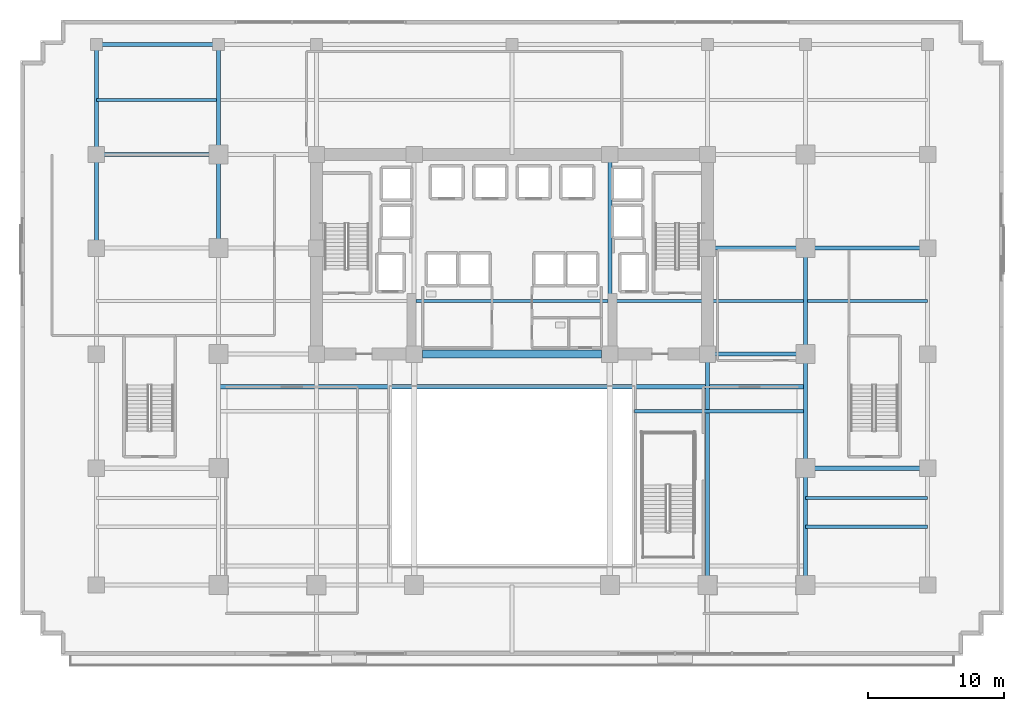
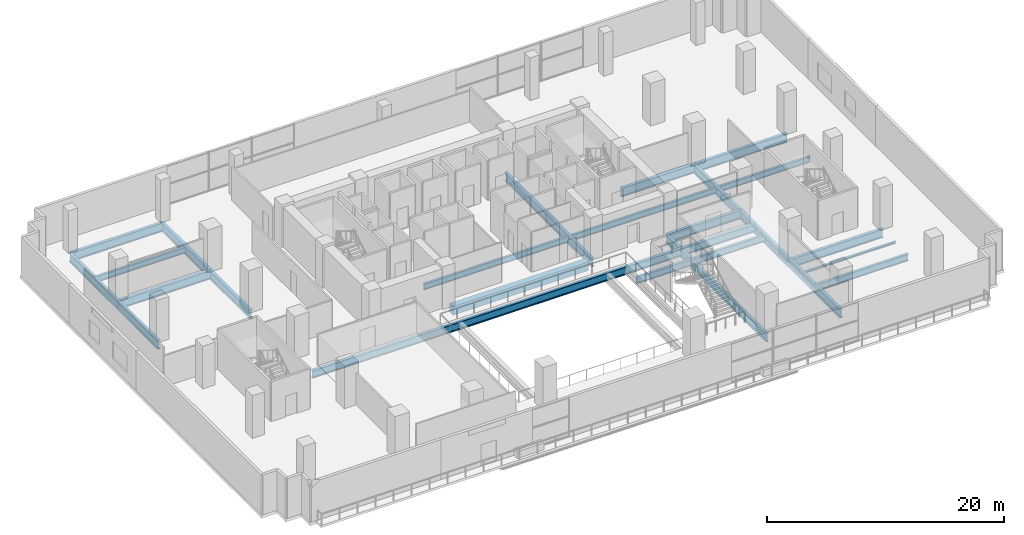
# One storey, part 6 of 23: 24 beams.
"""IFC4 building model written with IfcOpenShell, lengths in metres."""

from ifc_helpers import new_model, si_unit, direction, frame, origin, origin_2d, place, context, subcontext, project, spatial, rectangle, i_section, extrude, material, material_profile, profile_set, type_object, element, save


model = new_model("IFC4")

# Units and contexts
model_context = context("Model", 3, precision=1e-05, world=origin(), true_north=direction((0.0, 1.0)))
body_context = subcontext(model_context, "Body", "Model", "MODEL_VIEW")
ifc_project = project(units=[si_unit("LENGTHUNIT", "METRE"), si_unit("AREAUNIT", "SQUARE_METRE"), si_unit("VOLUMEUNIT", "CUBIC_METRE"), si_unit("PLANEANGLEUNIT", "RADIAN"), si_unit("MASSUNIT", "GRAM", prefix="KILO")], contexts=[model_context])

# Site, building, storey
site_placement = place(None, origin())
site = spatial("IfcSite", under=ifc_project, at=site_placement, CompositionType="ELEMENT")
building_placement = place(site_placement, origin())
building = spatial("IfcBuilding", under=site, at=building_placement, Name="Zarnakvel Exchange Tower", CompositionType="ELEMENT")
storey_placement = place(building_placement, frame((0.0, 0.0, 13.800048828125)))
storey = spatial("IfcBuildingStorey", under=building, at=storey_placement, Name="L03", CompositionType="ELEMENT", Elevation=13.800048828125)

# Beams
ifc_material_1 = material(Name="Steel S355", Category="steel")
ifc_material_profile_1 = material_profile(ifc_material_1, i_section(OverallWidth=0.255859375, OverallDepth=0.69287109375, WebThickness=0.014404296875, FlangeThickness=0.023681640625, FilletRadius=0.01513671875, at=origin_2d()))
ifc_profile_set_1 = profile_set([ifc_material_profile_1], Name="Steel S355")
beam_type_1 = type_object("IfcBeamType", Name="B-01", PredefinedType="JOIST", material=ifc_profile_set_1)
beam_1_placement = place(storey_placement, frame((21.60009765625, -13.89990234375, -0.646484375), z_axis=(1.0, 0.0, 0.0), x_axis=(0.0, 1.0, 0.0)))
element("IfcBeam", 1, at=beam_1_placement, inside=storey, type_object=beam_type_1, Name="L03 Podium Wing Secondary Joist East", PredefinedType="JOIST", context=body_context, shape_type="SweptSolid", body=[
    extrude(i_section(OverallWidth=0.255859375, OverallDepth=0.69287109375, WebThickness=0.014404296875, FlangeThickness=0.023681640625, FilletRadius=0.01513671875, at=origin_2d()), origin(), (0.0, 0.0, 1.0), 9.0),
])
beam_2_placement = place(storey_placement, frame((9.0, -5.39990234375, -0.646484375), z_axis=(1.0, 0.0, 0.0), x_axis=(0.0, 1.0, 0.0)))
element("IfcBeam", 2, at=beam_2_placement, inside=storey, type_object=beam_type_1, Name="L03 Exchange Hall Atrium Trimmer East", PredefinedType="JOIST", context=body_context, shape_type="SweptSolid", body=[
    extrude(i_section(OverallWidth=0.255859375, OverallDepth=0.69287109375, WebThickness=0.014404296875, FlangeThickness=0.023681640625, FilletRadius=0.01513671875, at=origin_2d()), origin(), (0.0, 0.0, 1.0), 12.60009765625),
])
ifc_material_profile_2 = material_profile(ifc_material_1, i_section(OverallWidth=0.230224609375, OverallDepth=0.6171875, WebThickness=0.01318359375, FlangeThickness=0.022216796875, FilletRadius=0.0126953125, at=origin_2d()))
ifc_profile_set_2 = profile_set([ifc_material_profile_2], Name="Steel S355")
beam_type_2 = type_object("IfcBeamType", Name="B-02", PredefinedType="JOIST", material=ifc_profile_set_2)
beam_3_placement = place(storey_placement, frame((-7.050048828125, 2.699951171875, -0.608642578125), z_axis=(1.0, 0.0, 0.0), x_axis=(0.0, 1.0, 0.0)))
element("IfcBeam", 3, at=beam_3_placement, inside=storey, type_object=beam_type_2, Name="L03 Secondary Floor Joist", PredefinedType="JOIST", context=body_context, shape_type="SweptSolid", body=[
    extrude(i_section(OverallWidth=0.230224609375, OverallDepth=0.6171875, WebThickness=0.01318359375, FlangeThickness=0.022216796875, FilletRadius=0.0126953125, at=origin_2d()), origin(), (0.0, 0.0, 1.0), 14.10009765625),
])
beam_4_placement = place(storey_placement, frame((7.35009765625, 2.699951171875, -0.608642578125), z_axis=(1.0, 0.0, 0.0), x_axis=(0.0, 1.0, 0.0)))
element("IfcBeam", 4, at=beam_4_placement, inside=storey, type_object=beam_type_2, Name="L03 Secondary Floor Joist", PredefinedType="JOIST", context=body_context, shape_type="SweptSolid", body=[
    extrude(i_section(OverallWidth=0.230224609375, OverallDepth=0.6171875, WebThickness=0.01318359375, FlangeThickness=0.022216796875, FilletRadius=0.0126953125, at=origin_2d()), origin(), (0.0, 0.0, 1.0), 14.099853515625),
])
for number, where, z_axis, x_axis, name in (
    (5, (21.75, 2.699951171875, -0.608642578125), (1.0, 0.0, 0.0), (0.0, 1.0, 0.0), "L03 Secondary Floor Joist"),
    (6, (-30.60009765625, 17.5, -0.608642578125), (1.0, 0.0, 0.0), (0.0, 1.0, 0.0), "L03 North Bay Secondary Floor Joist"),
):
    element("IfcBeam", number, at=place(storey_placement, frame(where, z_axis=z_axis, x_axis=x_axis)), inside=storey, type_object=beam_type_2, Name=name, PredefinedType="JOIST", context=body_context, shape_type="SweptSolid", body=[
        extrude(i_section(OverallWidth=0.230224609375, OverallDepth=0.6171875, WebThickness=0.01318359375, FlangeThickness=0.022216796875, FilletRadius=0.0126953125, at=origin_2d()), origin(), (0.0, 0.0, 1.0), 8.85009765625),
    ])
ifc_material_2 = material(Name="Concrete C80/95", Category="concrete")
ifc_material_profile_3 = material_profile(ifc_material_2, rectangle(XDim=0.60009765625, YDim=0.89990234375, at=origin_2d()))
ifc_profile_set_3 = profile_set([ifc_material_profile_3], Name="Concrete C80/95")
beam_type_3 = type_object("IfcBeamType", Name="CB-01", PredefinedType="LINTEL", material=ifc_profile_set_3)
beam_5_placement = place(storey_placement, frame((-6.60009765625, -1.199951171875, -0.75), z_axis=(1.0, 0.0, 0.0), x_axis=(0.0, 1.0, 0.0)))
element("IfcBeam", 7, at=beam_5_placement, inside=storey, type_object=beam_type_3, Name="L03 Rear Core South Coupling Beam (CB-01)", PredefinedType="LINTEL", context=body_context, shape_type="SweptSolid", body=[
    extrude(rectangle(XDim=0.60009765625, YDim=0.89990234375, at=origin_2d()), origin(), (0.0, 0.0, 1.0), 13.2001953125),
])
ifc_material_profile_4 = material_profile(ifc_material_1, i_section(OverallWidth=0.300048828125, OverallDepth=0.89990234375, WebThickness=0.0185546875, FlangeThickness=0.034912109375, FilletRadius=0.030029296875, at=origin_2d()))
ifc_profile_set_4 = profile_set([ifc_material_profile_4], Name="Steel S355")
beam_type_4 = type_object("IfcBeamType", Name="G-01", PredefinedType="BEAM", material=ifc_profile_set_4)
beam_6_placement = place(storey_placement, frame((21.60009765625, -9.60009765625, -0.75), z_axis=(1.0, 0.0, 0.0), x_axis=(0.0, 1.0, 0.0)))
element("IfcBeam", 8, at=beam_6_placement, inside=storey, type_object=beam_type_4, Name="L03 Primary E-W Girder Y=-9.6", PredefinedType="BEAM", context=body_context, shape_type="SweptSolid", body=[
    extrude(i_section(OverallWidth=0.300048828125, OverallDepth=0.89990234375, WebThickness=0.0185546875, FlangeThickness=0.034912109375, FilletRadius=0.030029296875, at=origin_2d()), origin(), (0.0, 0.0, 1.0), 9.0),
])
for number, where, z_axis, x_axis, name in (
    (9, (14.39990234375, -1.199951171875, -0.75), (1.0, 0.0, 0.0), (0.0, 1.0, 0.0), "L03 Primary E-W Girder Y=-1.2"),
    (10, (14.39990234375, 6.60009765625, -0.75), (1.0, 0.0, 0.0), (0.0, 1.0, 0.0), "L03 Primary E-W Girder Y=+6.6"),
):
    element("IfcBeam", number, at=place(storey_placement, frame(where, z_axis=z_axis, x_axis=x_axis)), inside=storey, type_object=beam_type_4, Name=name, PredefinedType="BEAM", context=body_context, shape_type="SweptSolid", body=[
        extrude(i_section(OverallWidth=0.300048828125, OverallDepth=0.89990234375, WebThickness=0.0185546875, FlangeThickness=0.034912109375, FilletRadius=0.030029296875, at=origin_2d()), origin(), (0.0, 0.0, 1.0), 7.2001953125),
    ])
for number, where, z_axis, x_axis, name in (
    (11, (21.60009765625, 6.60009765625, -0.75), (1.0, 0.0, 0.0), (0.0, 1.0, 0.0), "L03 Primary E-W Girder Y=+6.6"),
    (12, (-30.60009765625, 13.5, -0.75), (1.0, 0.0, 0.0), (0.0, 1.0, 0.0), "L03 Primary E-W Girder Y=+13.5"),
    (13, (-30.60009765625, 21.60009765625, -0.75), (1.0, 0.0, 0.0), (0.0, 1.0, 0.0), "L03 Primary E-W Girder Y=+21.6"),
):
    element("IfcBeam", number, at=place(storey_placement, frame(where, z_axis=z_axis, x_axis=x_axis)), inside=storey, type_object=beam_type_4, Name=name, PredefinedType="BEAM", context=body_context, shape_type="SweptSolid", body=[
        extrude(i_section(OverallWidth=0.300048828125, OverallDepth=0.89990234375, WebThickness=0.0185546875, FlangeThickness=0.034912109375, FilletRadius=0.030029296875, at=origin_2d()), origin(), (0.0, 0.0, 1.0), 9.0),
    ])
beam_7_placement = place(storey_placement, frame((-30.60009765625, 6.60009765625, -0.75), z_axis=(0.0, 1.0, 0.0), x_axis=(-1.0, 0.0, 0.0)))
element("IfcBeam", 14, at=beam_7_placement, inside=storey, type_object=beam_type_4, Name="L03 Primary N-S Girder X=-30.6", PredefinedType="BEAM", context=body_context, shape_type="SweptSolid", body=[
    extrude(i_section(OverallWidth=0.300048828125, OverallDepth=0.89990234375, WebThickness=0.0185546875, FlangeThickness=0.034912109375, FilletRadius=0.030029296875, at=origin_2d()), origin(), (0.0, 0.0, 1.0), 6.89990234375),
])
beam_8_placement = place(storey_placement, frame((-30.60009765625, 13.5, -0.75), z_axis=(0.0, 1.0, 0.0), x_axis=(-1.0, 0.0, 0.0)))
element("IfcBeam", 15, at=beam_8_placement, inside=storey, type_object=beam_type_4, Name="L03 Primary N-S Girder X=-30.6", PredefinedType="BEAM", context=body_context, shape_type="SweptSolid", body=[
    extrude(i_section(OverallWidth=0.300048828125, OverallDepth=0.89990234375, WebThickness=0.0185546875, FlangeThickness=0.034912109375, FilletRadius=0.030029296875, at=origin_2d()), origin(), (0.0, 0.0, 1.0), 8.10009765625),
])
beam_9_placement = place(storey_placement, frame((-21.60009765625, 6.60009765625, -0.75), z_axis=(0.0, 1.0, 0.0), x_axis=(-1.0, 0.0, 0.0)))
element("IfcBeam", 16, at=beam_9_placement, inside=storey, type_object=beam_type_4, Name="L03 Primary N-S Girder X=-21.6", PredefinedType="BEAM", context=body_context, shape_type="SweptSolid", body=[
    extrude(i_section(OverallWidth=0.300048828125, OverallDepth=0.89990234375, WebThickness=0.0185546875, FlangeThickness=0.034912109375, FilletRadius=0.030029296875, at=origin_2d()), origin(), (0.0, 0.0, 1.0), 6.89990234375),
])
beam_10_placement = place(storey_placement, frame((-21.60009765625, 13.5, -0.75), z_axis=(0.0, 1.0, 0.0), x_axis=(-1.0, 0.0, 0.0)))
element("IfcBeam", 17, at=beam_10_placement, inside=storey, type_object=beam_type_4, Name="L03 Primary N-S Girder X=-21.6", PredefinedType="BEAM", context=body_context, shape_type="SweptSolid", body=[
    extrude(i_section(OverallWidth=0.300048828125, OverallDepth=0.89990234375, WebThickness=0.0185546875, FlangeThickness=0.034912109375, FilletRadius=0.030029296875, at=origin_2d()), origin(), (0.0, 0.0, 1.0), 8.10009765625),
])
beam_11_placement = place(storey_placement, frame((7.199951171875, -1.199951171875, -0.75), z_axis=(0.0, 1.0, 0.0), x_axis=(-1.0, 0.0, 0.0)))
element("IfcBeam", 18, at=beam_11_placement, inside=storey, type_object=beam_type_4, Name="L03 Primary N-S Girder X=+7.2", PredefinedType="BEAM", context=body_context, shape_type="SweptSolid", body=[
    extrude(i_section(OverallWidth=0.300048828125, OverallDepth=0.89990234375, WebThickness=0.0185546875, FlangeThickness=0.034912109375, FilletRadius=0.030029296875, at=origin_2d()), origin(), (0.0, 0.0, 1.0), 14.699951171875),
])
beam_12_placement = place(storey_placement, frame((21.60009765625, -18.199951171875, -0.75), z_axis=(0.0, 1.0, 0.0), x_axis=(-1.0, 0.0, 0.0)))
element("IfcBeam", 19, at=beam_12_placement, inside=storey, type_object=beam_type_4, Name="L03 Primary N-S Girder X=+21.6", PredefinedType="BEAM", context=body_context, shape_type="SweptSolid", body=[
    extrude(i_section(OverallWidth=0.300048828125, OverallDepth=0.89990234375, WebThickness=0.0185546875, FlangeThickness=0.034912109375, FilletRadius=0.030029296875, at=origin_2d()), origin(), (0.0, 0.0, 1.0), 8.599853515625),
])
beam_13_placement = place(storey_placement, frame((21.60009765625, -9.60009765625, -0.75), z_axis=(0.0, 1.0, 0.0), x_axis=(-1.0, 0.0, 0.0)))
element("IfcBeam", 20, at=beam_13_placement, inside=storey, type_object=beam_type_4, Name="L03 Primary N-S Girder X=+21.6", PredefinedType="BEAM", context=body_context, shape_type="SweptSolid", body=[
    extrude(i_section(OverallWidth=0.300048828125, OverallDepth=0.89990234375, WebThickness=0.0185546875, FlangeThickness=0.034912109375, FilletRadius=0.030029296875, at=origin_2d()), origin(), (0.0, 0.0, 1.0), 8.400146484375),
])
beam_14_placement = place(storey_placement, frame((21.60009765625, -1.199951171875, -0.75), z_axis=(0.0, 1.0, 0.0), x_axis=(-1.0, 0.0, 0.0)))
element("IfcBeam", 21, at=beam_14_placement, inside=storey, type_object=beam_type_4, Name="L03 Primary N-S Girder X=+21.6", PredefinedType="BEAM", context=body_context, shape_type="SweptSolid", body=[
    extrude(i_section(OverallWidth=0.300048828125, OverallDepth=0.89990234375, WebThickness=0.0185546875, FlangeThickness=0.034912109375, FilletRadius=0.030029296875, at=origin_2d()), origin(), (0.0, 0.0, 1.0), 7.800048828125),
])
ifc_material_profile_5 = material_profile(ifc_material_1, i_section(OverallWidth=0.300048828125, OverallDepth=0.800048828125, WebThickness=0.017578125, FlangeThickness=0.032958984375, FilletRadius=0.030029296875, at=origin_2d()))
ifc_profile_set_5 = profile_set([ifc_material_profile_5], Name="Steel S355")
beam_type_5 = type_object("IfcBeamType", Name="G-02", PredefinedType="BEAM", material=ifc_profile_set_5)
beam_15_placement = place(storey_placement, frame((-21.60009765625, -3.60009765625, -0.699951171875), z_axis=(1.0, 0.0, 0.0), x_axis=(0.0, 1.0, 0.0)))
element("IfcBeam", 22, at=beam_15_placement, inside=storey, type_object=beam_type_5, Name="L03 Atrium North Edge Trimmer Girder", PredefinedType="BEAM", context=body_context, shape_type="SweptSolid", body=[
    extrude(i_section(OverallWidth=0.300048828125, OverallDepth=0.800048828125, WebThickness=0.017578125, FlangeThickness=0.032958984375, FilletRadius=0.030029296875, at=origin_2d()), origin(), (0.0, 0.0, 1.0), 43.2001953125),
])
ifc_material_profile_6 = material_profile(ifc_material_1, i_section(OverallWidth=0.199951171875, OverallDepth=0.199951171875, WebThickness=0.009033203125, FlangeThickness=0.014892578125, FilletRadius=0.01806640625, at=origin_2d()))
ifc_profile_set_6 = profile_set([ifc_material_profile_6], Name="Steel S355")
beam_type_6 = type_object("IfcBeamType", Name="LN-02", PredefinedType="LINTEL", material=ifc_profile_set_6)
beam_16_placement = place(storey_placement, frame((21.60009765625, -11.800048828125, -0.400146484375), z_axis=(1.0, 0.0, 0.0), x_axis=(0.0, 1.0, 0.0)))
element("IfcBeam", 23, at=beam_16_placement, inside=storey, type_object=beam_type_6, Name="L03 Concourse Gallery Opening Lintel East", PredefinedType="LINTEL", context=body_context, shape_type="SweptSolid", body=[
    extrude(i_section(OverallWidth=0.199951171875, OverallDepth=0.199951171875, WebThickness=0.009033203125, FlangeThickness=0.014892578125, FilletRadius=0.01806640625, at=origin_2d()), origin(), (0.0, 0.0, 1.0), 9.0),
])
ifc_material_profile_7 = material_profile(ifc_material_1, i_section(OverallWidth=0.293701171875, OverallDepth=0.850830078125, WebThickness=0.01611328125, FlangeThickness=0.02685546875, FilletRadius=0.017822265625, at=origin_2d()))
ifc_profile_set_7 = profile_set([ifc_material_profile_7], Name="Steel S355")
beam_type_7 = type_object("IfcBeamType", Name="TB-02", PredefinedType="T_BEAM", material=ifc_profile_set_7)
beam_17_placement = place(storey_placement, frame((14.39990234375, -18.199951171875, -0.7255859375), z_axis=(0.0, 1.0, 0.0), x_axis=(-1.0, 0.0, 0.0)))
element("IfcBeam", 24, at=beam_17_placement, inside=storey, type_object=beam_type_7, Name="L03 Primary N-S Girder X=+14.4", PredefinedType="T_BEAM", context=body_context, shape_type="SweptSolid", body=[
    extrude(i_section(OverallWidth=0.293701171875, OverallDepth=0.850830078125, WebThickness=0.01611328125, FlangeThickness=0.02685546875, FilletRadius=0.017822265625, at=origin_2d()), origin(), (0.0, 0.0, 1.0), 17.0),
])

save(model, "model.ifc")
